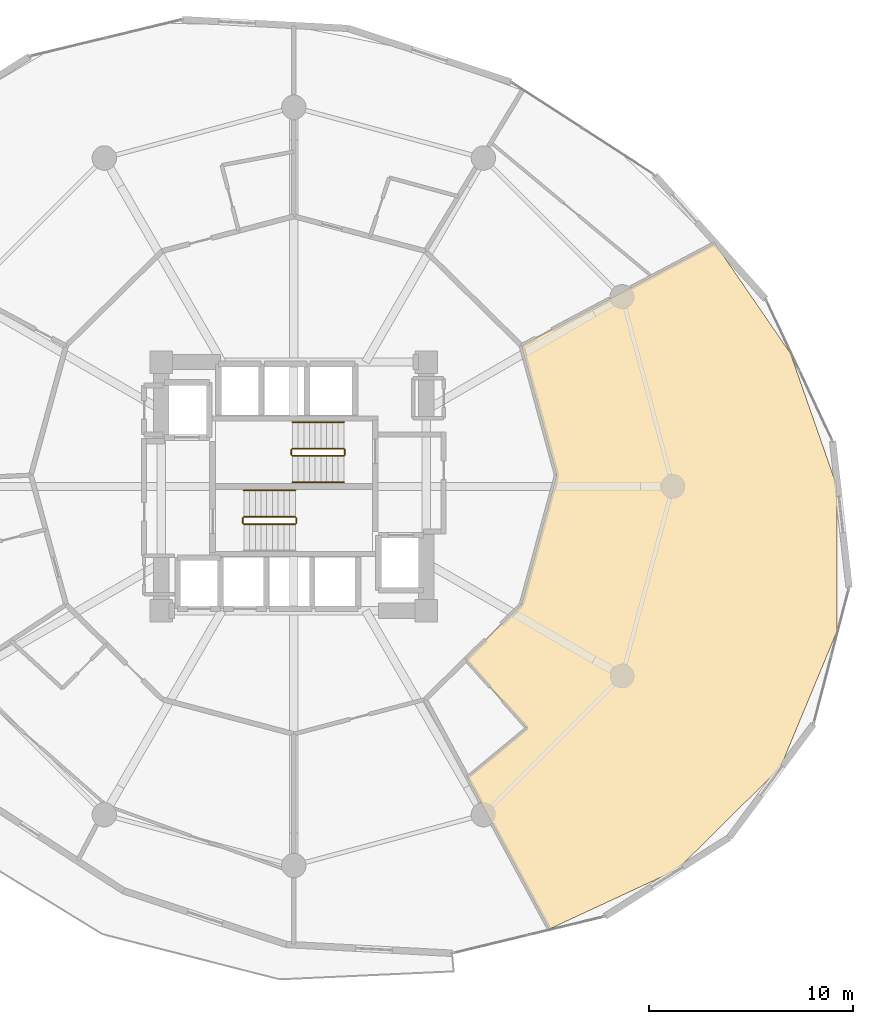
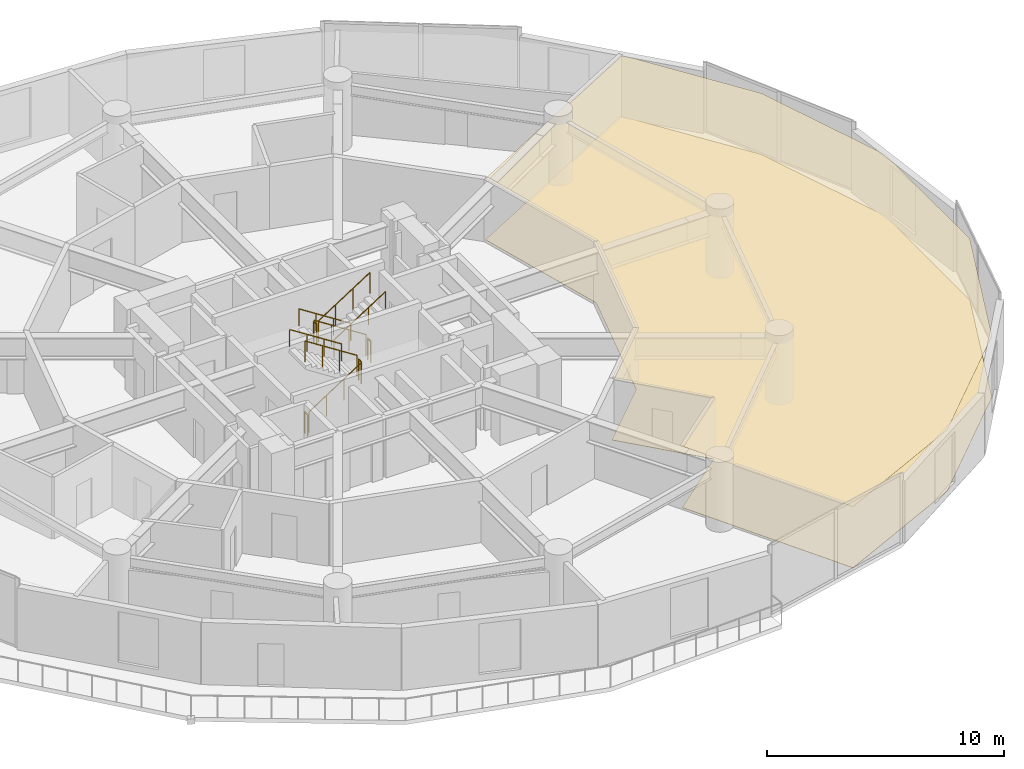
# One storey, part 23 of 24: 11 railings, 2 coverings.
"""IFC4 building model written with IfcOpenShell, lengths in metres."""

import ifcopenshell
import ifcopenshell.guid

model = None  # the IFC model being written
_history = None  # IfcOwnerHistory: only IFC2X3 demands one
_inside = {}  # id of a spatial element -> (the spatial element, [elements in it])
_under = {}  # id of a project, library or spatial element -> (it, [spatial elements below it])
_declared = {}  # id of a project -> (the project, [libraries it declares])
_typed = {}  # id of a type object -> (the type object, [elements of that type])
_made_of = {}  # id of a material, layer set ... -> (it, [elements and type objects made of it])


def new_model(schema):
    """Start an empty IFC model of exactly this schema.

    Asked for "IFC4X3", IfcOpenShell would pick the latest addendum, in which some entities
    have other attributes; the version numbers below select the first issue.
    IFC2X3 requires an IfcOwnerHistory on every rooted entity: one is made here for all.
    """
    global model, _history
    if schema == "IFC4X3":
        model = ifcopenshell.file(schema_version=(4, 3, 0, 0))
    else:
        model = ifcopenshell.file(schema=schema)
    _inside.clear()
    _under.clear()
    _declared.clear()
    _typed.clear()
    _made_of.clear()
    _history = None
    if model.schema == "IFC2X3":
        org = make("IfcOrganization", Name="unknown")
        user = make(
            "IfcPersonAndOrganization",
            ThePerson=make("IfcPerson", FamilyName="unknown"),
            TheOrganization=org,
        )
        app = make(
            "IfcApplication",
            ApplicationDeveloper=org,
            Version="unknown",
            ApplicationFullName="unknown",
            ApplicationIdentifier="unknown",
        )
        _history = make(
            "IfcOwnerHistory",
            OwningUser=user,
            OwningApplication=app,
            ChangeAction="ADDED",
            CreationDate=0,
        )
    return model


def make(cls, **values):
    """One entity of the class cls with the attributes given. An attribute that is None is left unset."""
    return model.create_entity(
        cls, **{name: value for name, value in values.items() if value is not None}
    )


def rooted(cls, **values):
    """An entity with a GlobalId (a new one), such as an element, a storey or a relation."""
    return make(cls, GlobalId=ifcopenshell.guid.new(), OwnerHistory=_history, **values)


def si_unit(unit_type, name, prefix=None):
    """IfcSIUnit, for example si_unit("LENGTHUNIT", "METRE", prefix="MILLI")."""
    return make("IfcSIUnit", UnitType=unit_type, Prefix=prefix, Name=name)


def assignment(units):
    """IfcUnitAssignment: the units of a project."""
    return None if units is None else make("IfcUnitAssignment", Units=units)


def point(xyz):
    """IfcCartesianPoint."""
    return None if xyz is None else make("IfcCartesianPoint", Coordinates=xyz)


def direction(xyz):
    """IfcDirection."""
    return None if xyz is None else make("IfcDirection", DirectionRatios=xyz)


def frame(location, z_axis=None, x_axis=None):
    """IfcAxis2Placement3D, a coordinate frame: its origin and axes. An axis left out is left unset."""
    return make(
        "IfcAxis2Placement3D",
        Location=point(location),
        Axis=direction(z_axis),
        RefDirection=direction(x_axis),
    )


def frame_2d(location, x_axis=None):
    """IfcAxis2Placement2D, a coordinate frame in the plane: its origin and x axis."""
    return make(
        "IfcAxis2Placement2D", Location=point(location), RefDirection=direction(x_axis)
    )


def origin():
    """The frame at (0, 0, 0) with its axes left unset."""
    return frame((0.0, 0.0, 0.0))


def origin_2d():
    """The frame at (0, 0) in the plane with its x axis left unset."""
    return frame_2d((0.0, 0.0))


def place(relative_to, where):
    """IfcLocalPlacement: puts the frame where relative to a parent placement (None: the world)."""
    return make(
        "IfcLocalPlacement", PlacementRelTo=relative_to, RelativePlacement=where
    )


def context(
    kind, dimensions, precision=None, world=None, true_north=None, identifier=None
):
    """IfcGeometricRepresentationContext, for example the 3D "Model" context."""
    return make(
        "IfcGeometricRepresentationContext",
        ContextIdentifier=identifier,
        ContextType=kind,
        CoordinateSpaceDimension=dimensions,
        Precision=precision,
        WorldCoordinateSystem=world,
        TrueNorth=true_north,
    )


def subcontext(parent, identifier, kind, view, scale=None):
    """IfcGeometricRepresentationSubContext, for example "Body" below "Model"."""
    return make(
        "IfcGeometricRepresentationSubContext",
        ContextIdentifier=identifier,
        ContextType=kind,
        ParentContext=parent,
        TargetScale=scale,
        TargetView=view,
    )


def project(units=None, contexts=None):
    """IfcProject with its units and contexts."""
    return rooted(
        "IfcProject",
        Name="project",
        RepresentationContexts=contexts,
        UnitsInContext=assignment(units),
    )


def spatial(cls, under=None, at=None, **own):
    """A site, building, storey or space (cls), placed at a placement, below another one or the project."""
    s = rooted(cls, ObjectPlacement=at, **own)
    if under is not None:
        _under.setdefault(under.id(), (under, []))[1].append(s)
    return s


def polyline(points):
    """IfcPolyline through the points."""
    return make("IfcPolyline", Points=[point(p) for p in points])


def profile(cls, at=None, kind="AREA", **sizes):
    """A parametric profile (cls). Its sizes go by their IFC names, for example OverallWidth=200.0."""
    return make(cls, ProfileType=kind, Position=at, **sizes)


def circle(**sizes):
    """IfcCircleProfileDef."""
    return profile("IfcCircleProfileDef", **sizes)


def outline(outer, holes=None, kind="AREA"):
    """IfcArbitraryClosedProfileDef: a profile drawn as a closed curve; with holes, ...WithVoids."""
    if holes is None:
        return make("IfcArbitraryClosedProfileDef", ProfileType=kind, OuterCurve=outer)
    return make(
        "IfcArbitraryProfileDefWithVoids",
        ProfileType=kind,
        OuterCurve=outer,
        InnerCurves=holes,
    )


def extrude(swept, where, along, depth):
    """IfcExtrudedAreaSolid: the profile swept, set in the frame where, extruded along a direction by depth."""
    return make(
        "IfcExtrudedAreaSolid",
        SweptArea=swept,
        Position=where,
        ExtrudedDirection=direction(along),
        Depth=depth,
    )


def shape(context_of_items, identifier, shape_type, items):
    """IfcShapeRepresentation: the items that make up one representation, for example the "Body"."""
    return make(
        "IfcShapeRepresentation",
        ContextOfItems=context_of_items,
        RepresentationIdentifier=identifier,
        RepresentationType=shape_type,
        Items=items,
    )


def material(Name=None, Category=None):
    """IfcMaterial."""
    return make("IfcMaterial", Name=Name, Category=Category)


def layer(
    of_material, thickness, ventilated=None, Name=None, Category=None, Priority=None
):
    """IfcMaterialLayer: one layer of a wall or slab, of a material (None: an air gap)."""
    return make(
        "IfcMaterialLayer",
        Material=of_material,
        LayerThickness=thickness,
        IsVentilated=ventilated,
        Name=Name,
        Category=Category,
        Priority=Priority,
    )


def layer_set(layers, Name=None):
    """IfcMaterialLayerSet."""
    return make("IfcMaterialLayerSet", MaterialLayers=layers, LayerSetName=Name)


def made_of(thing, what):
    """Note that an element or type object is made of a material, layer set ...; save() writes the relation."""
    if what is not None:
        _made_of.setdefault(what.id(), (what, []))[1].append(thing)
    return thing


def type_object(cls, material=None, **own):
    """A type object (cls), such as IfcWallType, which elements share."""
    return made_of(rooted(cls, **own), material)


def element(
    cls,
    number,
    at=None,
    inside=None,
    cuts=None,
    type_object=None,
    material=None,
    context=None,
    identifier="Body",
    shape_type=None,
    held_by="IfcProductDefinitionShape",
    body=None,
    shapes=None,
    **own,
):
    """One element of the class cls, such as IfcWall. Its Tag is "e" and its number.

    at: its placement. inside: the storey or other place that contains it. cuts: it is an
    opening in that element (IfcRelVoidsElement). A single representation is given by context,
    identifier, shape_type and body (its items); several are given by shapes. held_by: the class
    of the entity that holds the representations. save() writes the other relations.
    """
    e = rooted(cls, Tag="e%d" % number, ObjectPlacement=at, **own)
    if body is not None:
        shapes = [shape(context, identifier, shape_type, body)]
    if shapes is not None:
        e.Representation = make(held_by, Representations=shapes)
    if inside is not None:
        _inside.setdefault(inside.id(), (inside, []))[1].append(e)
    if cuts is not None:
        rooted(
            "IfcRelVoidsElement", RelatingBuildingElement=cuts, RelatedOpeningElement=e
        )
    if type_object is not None:
        _typed.setdefault(type_object.id(), (type_object, []))[1].append(e)
    return made_of(e, material)


def aggregate(whole, parts):
    """IfcRelAggregates: a whole, such as a stair, and the parts it consists of."""
    return rooted("IfcRelAggregates", RelatingObject=whole, RelatedObjects=parts)


def save(model, path):
    """Write the relations noted so far, then the file.

    IfcRelAggregates (storeys below a building ...), IfcRelContainedInSpatialStructure (elements
    in a storey), IfcRelDefinesByType, IfcRelAssociatesMaterial and IfcRelDeclares: one each for
    every whole, place, type object, material and project.
    """
    for whole, parts in _under.values():
        aggregate(whole, parts)
    for where, things in _inside.values():
        rooted(
            "IfcRelContainedInSpatialStructure",
            RelatedElements=things,
            RelatingStructure=where,
        )
    for kind, things in _typed.values():
        rooted("IfcRelDefinesByType", RelatedObjects=things, RelatingType=kind)
    for what, things in _made_of.values():
        rooted("IfcRelAssociatesMaterial", RelatedObjects=things, RelatingMaterial=what)
    for by, libraries in _declared.values():
        rooted("IfcRelDeclares", RelatingContext=by, RelatedDefinitions=libraries)
    model.write(path)


model = new_model("IFC4")

# Units and contexts
model_context = context("Model", 3, precision=1e-05, world=origin(), true_north=direction((0.0, 1.0)))
body_context = subcontext(model_context, "Body", "Model", "MODEL_VIEW")
ifc_project = project(units=[si_unit("LENGTHUNIT", "METRE"), si_unit("AREAUNIT", "SQUARE_METRE"), si_unit("VOLUMEUNIT", "CUBIC_METRE"), si_unit("PLANEANGLEUNIT", "RADIAN"), si_unit("MASSUNIT", "GRAM", prefix="KILO")], contexts=[model_context])

# Site, building, storey
site_placement = place(None, origin())
site = spatial("IfcSite", under=ifc_project, at=site_placement, CompositionType="ELEMENT")
building_placement = place(site_placement, origin())
building = spatial("IfcBuilding", under=site, at=building_placement, Name="Solvirekh Grand Hotel", CompositionType="ELEMENT")
storey_placement = place(building_placement, frame((0.0, 0.0, 89.60009765625)))
storey = spatial("IfcBuildingStorey", under=building, at=storey_placement, Name="L22", CompositionType="ELEMENT", Elevation=89.60009765625)

# Coverings
ifc_material_1 = material(Name="Acoustic Mineral Ceiling Tile")
ifc_layer_1 = layer(ifc_material_1, 0.02490234375)
ifc_layer_set_1 = layer_set([ifc_layer_1], Name="Acoustic Mineral Ceiling Tile")
covering_type_1 = type_object("IfcCoveringType", Name="Cov_Ceiling_Acoustic", PredefinedType="CEILING", material=ifc_layer_set_1)
covering_1_placement = place(storey_placement, frame((0.0, 0.0, 3.14990234375)))
element("IfcCovering", 1, at=covering_1_placement, inside=storey, type_object=covering_type_1, Name="L22 Presidential Suite 2401 Living Room acoustic ceiling", PredefinedType="CEILING", context=body_context, shape_type="SweptSolid", body=[
    extrude(outline(polyline([(11.447998046875, -11.85888671875), (8.52001953125, -14.280029296875), (12.5390625, -21.718017578125), (18.805908203125, -18.805908203125), (23.8759765625, -13.784912109375), (26.636962890625, -7.136962890625), (26.64697265625, 0.0), (24.364990234375, 6.529052734375), (20.654052734375, 11.925048828125), (11.172119140625, 6.89990234375), (12.89990234375, 0.550048828125), (11.172119140625, -5.800048828125), (8.43310546875, -8.49609375), (11.447998046875, -11.85888671875)])), origin(), (0.0, 0.0, 1.0), 0.01806640625),
])
ifc_material_2 = material(Name="Porcelain Stoneware Flooring", Category="masonry")
ifc_layer_2 = layer(ifc_material_2, 0.030029296875)
ifc_layer_set_2 = layer_set([ifc_layer_2], Name="Porcelain Stoneware Flooring")
covering_type_2 = type_object("IfcCoveringType", Name="Cov_Floor_Stone", PredefinedType="FLOORING", material=ifc_layer_set_2)
covering_2_placement = place(storey_placement, origin())
element("IfcCovering", 2, at=covering_2_placement, inside=storey, type_object=covering_type_2, Name="L22 Presidential Suite 2401 Living Room polished granite flooring", PredefinedType="FLOORING", context=body_context, shape_type="SweptSolid", body=[
    extrude(outline(polyline([(11.447998046875, -11.85888671875), (8.52001953125, -14.280029296875), (12.5390625, -21.718017578125), (18.805908203125, -18.805908203125), (23.8759765625, -13.784912109375), (26.636962890625, -7.136962890625), (26.64697265625, 0.0), (24.364990234375, 6.529052734375), (20.654052734375, 11.925048828125), (11.172119140625, 6.89990234375), (12.89990234375, 0.550048828125), (11.172119140625, -5.800048828125), (8.43310546875, -8.49609375), (11.447998046875, -11.85888671875)])), origin(), (0.0, 0.0, 1.0), 0.02001953125),
])

# Railings
ifc_material_3 = material(Name="Steel S355", Category="steel")
railing_type_1 = type_object("IfcRailingType", Name="Guard_Stair_1100", PredefinedType="GUARDRAIL", material=ifc_material_3)
railing_1_placement = place(storey_placement, frame((-2.449951171875, -1.85009765625, 0.179931640625)))
element("IfcRailing", 3, at=railing_1_placement, inside=storey, type_object=railing_type_1, Name="L22 ST-1 stair guard 1", PredefinedType="GUARDRAIL", context=body_context, shape_type="SweptSolid", body=[
    extrude(circle(Radius=0.02392578125, at=origin_2d()), frame((0.0, 0.0, 1.076171875), z_axis=(0.841199657755, 0.0, 0.540724639528), x_axis=(0.0, 1.0, 0.0)), (0.0, 0.0, 1.0), 2.995849609375),
    extrude(circle(Radius=0.02099609375, at=origin_2d()), origin(), (0.0, 0.0, 1.0), 1.052001953125),
    extrude(circle(Radius=0.02099609375, at=origin_2d()), frame((0.840087890625, 0.0, 0.5400390625)), (0.0, 0.0, 1.0), 1.052001953125),
    extrude(circle(Radius=0.02099609375, at=origin_2d()), frame((1.679931640625, 0.0, 1.079833984375)), (0.0, 0.0, 1.0), 1.052001953125),
    extrude(circle(Radius=0.02099609375, at=origin_2d()), frame((2.52001953125, 0.0, 1.619873046875)), (0.0, 0.0, 1.0), 1.052001953125),
])
railing_2_placement = place(storey_placement, frame((0.1201171875, -1.800048828125, 1.7998046875)))
element("IfcRailing", 4, at=railing_2_placement, inside=storey, type_object=railing_type_1, Name="L22 ST-1 stair guard 2", PredefinedType="GUARDRAIL", context=body_context, shape_type="SweptSolid", body=[
    extrude(circle(Radius=0.02392578125, at=origin_2d()), frame((0.0, 0.0, 1.076171875), z_axis=(0.0, 1.0, 0.0), x_axis=(-1.0, 0.0, 0.0)), (0.0, 0.0, 1.0), 0.25),
    extrude(circle(Radius=0.02099609375, at=origin_2d()), origin(), (0.0, 0.0, 1.0), 1.052001953125),
    extrude(circle(Radius=0.02099609375, at=origin_2d()), frame((0.0, 0.25, 0.0)), (0.0, 0.0, 1.0), 1.052001953125),
])
railing_3_placement = place(storey_placement, frame((0.070068359375, -1.5, 1.97998046875)))
element("IfcRailing", 5, at=railing_3_placement, inside=storey, type_object=railing_type_1, Name="L22 ST-1 stair guard 3", PredefinedType="GUARDRAIL", context=body_context, shape_type="SweptSolid", body=[
    extrude(circle(Radius=0.02392578125, at=origin_2d()), frame((0.0, 0.0, 1.076171875), z_axis=(-0.841199657755, 0.0, 0.540724639528), x_axis=(0.0, -1.0, 0.0)), (0.0, 0.0, 1.0), 2.995849609375),
    extrude(circle(Radius=0.02099609375, at=origin_2d()), origin(), (0.0, 0.0, 1.0), 1.052001953125),
    extrude(circle(Radius=0.02099609375, at=origin_2d()), frame((-0.840087890625, 0.0, 0.5400390625)), (0.0, 0.0, 1.0), 1.052001953125),
    extrude(circle(Radius=0.02099609375, at=origin_2d()), frame((-1.679931640625, 0.0, 1.079833984375)), (0.0, 0.0, 1.0), 1.052001953125),
    extrude(circle(Radius=0.02099609375, at=origin_2d()), frame((-2.52001953125, 0.0, 1.619873046875)), (0.0, 0.0, 1.0), 1.052001953125),
])
railing_4_placement = place(storey_placement, frame((-2.5, -1.800048828125, 0.0)))
element("IfcRailing", 6, at=railing_4_placement, inside=storey, type_object=railing_type_1, Name="L22 ST-1 stair guard 4", PredefinedType="GUARDRAIL", context=body_context, shape_type="SweptSolid", body=[
    extrude(circle(Radius=0.02392578125, at=origin_2d()), frame((0.0, 0.0, 1.076171875), z_axis=(0.0, 1.0, 0.0), x_axis=(-1.0, 0.0, 0.0)), (0.0, 0.0, 1.0), 0.25),
    extrude(circle(Radius=0.02099609375, at=origin_2d()), origin(), (0.0, 0.0, 1.0), 1.052001953125),
    extrude(circle(Radius=0.02099609375, at=origin_2d()), frame((0.0, 0.25, 0.0)), (0.0, 0.0, 1.0), 1.052001953125),
])
railing_5_placement = place(storey_placement, frame((2.449951171875, 1.85009765625, 0.179931640625)))
element("IfcRailing", 7, at=railing_5_placement, inside=storey, type_object=railing_type_1, Name="L22 ST-2 stair guard 1", PredefinedType="GUARDRAIL", context=body_context, shape_type="SweptSolid", body=[
    extrude(circle(Radius=0.02392578125, at=origin_2d()), frame((0.0, 0.0, 1.076171875), z_axis=(-0.841199657755, 0.0, 0.540724639528), x_axis=(0.0, -1.0, 0.0)), (0.0, 0.0, 1.0), 2.995849609375),
    extrude(circle(Radius=0.02099609375, at=origin_2d()), origin(), (0.0, 0.0, 1.0), 1.052001953125),
    extrude(circle(Radius=0.02099609375, at=origin_2d()), frame((-0.840087890625, 0.0, 0.5400390625)), (0.0, 0.0, 1.0), 1.052001953125),
    extrude(circle(Radius=0.02099609375, at=origin_2d()), frame((-1.679931640625, 0.0, 1.079833984375)), (0.0, 0.0, 1.0), 1.052001953125),
    extrude(circle(Radius=0.02099609375, at=origin_2d()), frame((-2.52001953125, 0.0, 1.619873046875)), (0.0, 0.0, 1.0), 1.052001953125),
])
railing_6_placement = place(storey_placement, frame((-0.1201171875, 1.800048828125, 1.7998046875)))
element("IfcRailing", 8, at=railing_6_placement, inside=storey, type_object=railing_type_1, Name="L22 ST-2 stair guard 2", PredefinedType="GUARDRAIL", context=body_context, shape_type="SweptSolid", body=[
    extrude(circle(Radius=0.02392578125, at=origin_2d()), frame((0.0, 0.0, 1.076171875), z_axis=(0.0, -1.0, 0.0), x_axis=(1.0, 0.0, 0.0)), (0.0, 0.0, 1.0), 0.25),
    extrude(circle(Radius=0.02099609375, at=origin_2d()), origin(), (0.0, 0.0, 1.0), 1.052001953125),
    extrude(circle(Radius=0.02099609375, at=origin_2d()), frame((0.0, -0.25, 0.0)), (0.0, 0.0, 1.0), 1.052001953125),
])
railing_7_placement = place(storey_placement, frame((-0.070068359375, 1.5, 1.97998046875)))
element("IfcRailing", 9, at=railing_7_placement, inside=storey, type_object=railing_type_1, Name="L22 ST-2 stair guard 3", PredefinedType="GUARDRAIL", context=body_context, shape_type="SweptSolid", body=[
    extrude(circle(Radius=0.02392578125, at=origin_2d()), frame((0.0, 0.0, 1.076171875), z_axis=(0.841199657755, 0.0, 0.540724639528), x_axis=(0.0, 1.0, 0.0)), (0.0, 0.0, 1.0), 2.995849609375),
    extrude(circle(Radius=0.02099609375, at=origin_2d()), origin(), (0.0, 0.0, 1.0), 1.052001953125),
    extrude(circle(Radius=0.02099609375, at=origin_2d()), frame((0.840087890625, 0.0, 0.5400390625)), (0.0, 0.0, 1.0), 1.052001953125),
    extrude(circle(Radius=0.02099609375, at=origin_2d()), frame((1.679931640625, 0.0, 1.079833984375)), (0.0, 0.0, 1.0), 1.052001953125),
    extrude(circle(Radius=0.02099609375, at=origin_2d()), frame((2.52001953125, 0.0, 1.619873046875)), (0.0, 0.0, 1.0), 1.052001953125),
])
railing_8_placement = place(storey_placement, frame((2.5, 1.800048828125, 0.0)))
element("IfcRailing", 10, at=railing_8_placement, inside=storey, type_object=railing_type_1, Name="L22 ST-2 stair guard 4", PredefinedType="GUARDRAIL", context=body_context, shape_type="SweptSolid", body=[
    extrude(circle(Radius=0.02392578125, at=origin_2d()), frame((0.0, 0.0, 1.076171875), z_axis=(0.0, -1.0, 0.0), x_axis=(1.0, 0.0, 0.0)), (0.0, 0.0, 1.0), 0.25),
    extrude(circle(Radius=0.02099609375, at=origin_2d()), origin(), (0.0, 0.0, 1.0), 1.052001953125),
    extrude(circle(Radius=0.02099609375, at=origin_2d()), frame((0.0, -0.25, 0.0)), (0.0, 0.0, 1.0), 1.052001953125),
])
ifc_material_4 = material(Name="Anodized Bronze Aluminium 6063-T6", Category="aluminium")
railing_type_2 = type_object("IfcRailingType", Name="Handrail_Wall_900", PredefinedType="HANDRAIL", material=ifc_material_4)
for number, where, name in (
    (11, (0.070068359375, -0.199951171875, 1.97998046875), "L22 ST-1 stair handrail 2"),
    (12, (2.449951171875, 3.14990234375, 0.179931640625), "L22 ST-2 stair handrail 1"),
):
    element("IfcRailing", number, at=place(storey_placement, frame(where)), inside=storey, type_object=railing_type_2, Name=name, PredefinedType="HANDRAIL", context=body_context, shape_type="SweptSolid", body=[
        extrude(circle(Radius=0.02392578125, at=origin_2d()), frame((0.0, 0.0, 0.8759765625), z_axis=(-0.841199657755, 0.0, 0.540724639528), x_axis=(0.0, -1.0, 0.0)), (0.0, 0.0, 1.0), 2.995849609375),
        extrude(circle(Radius=0.02099609375, at=origin_2d()), origin(), (0.0, 0.0, 1.0), 0.851806640625),
        extrude(circle(Radius=0.02099609375, at=origin_2d()), frame((-0.840087890625, 0.0, 0.5400390625)), (0.0, 0.0, 1.0), 0.851806640625),
        extrude(circle(Radius=0.02099609375, at=origin_2d()), frame((-1.679931640625, 0.0, 1.079833984375)), (0.0, 0.0, 1.0), 0.851806640625),
        extrude(circle(Radius=0.02099609375, at=origin_2d()), frame((-2.52001953125, 0.0, 1.619873046875)), (0.0, 0.0, 1.0), 0.851806640625),
    ])
railing_9_placement = place(storey_placement, frame((-0.070068359375, 0.199951171875, 1.97998046875)))
element("IfcRailing", 13, at=railing_9_placement, inside=storey, type_object=railing_type_2, Name="L22 ST-2 stair handrail 2", PredefinedType="HANDRAIL", context=body_context, shape_type="SweptSolid", body=[
    extrude(circle(Radius=0.02392578125, at=origin_2d()), frame((0.0, 0.0, 0.8759765625), z_axis=(0.841199657755, 0.0, 0.540724639528), x_axis=(0.0, 1.0, 0.0)), (0.0, 0.0, 1.0), 2.995849609375),
    extrude(circle(Radius=0.02099609375, at=origin_2d()), origin(), (0.0, 0.0, 1.0), 0.851806640625),
    extrude(circle(Radius=0.02099609375, at=origin_2d()), frame((0.840087890625, 0.0, 0.5400390625)), (0.0, 0.0, 1.0), 0.851806640625),
    extrude(circle(Radius=0.02099609375, at=origin_2d()), frame((1.679931640625, 0.0, 1.079833984375)), (0.0, 0.0, 1.0), 0.851806640625),
    extrude(circle(Radius=0.02099609375, at=origin_2d()), frame((2.52001953125, 0.0, 1.619873046875)), (0.0, 0.0, 1.0), 0.851806640625),
])

save(model, "model.ifc")
